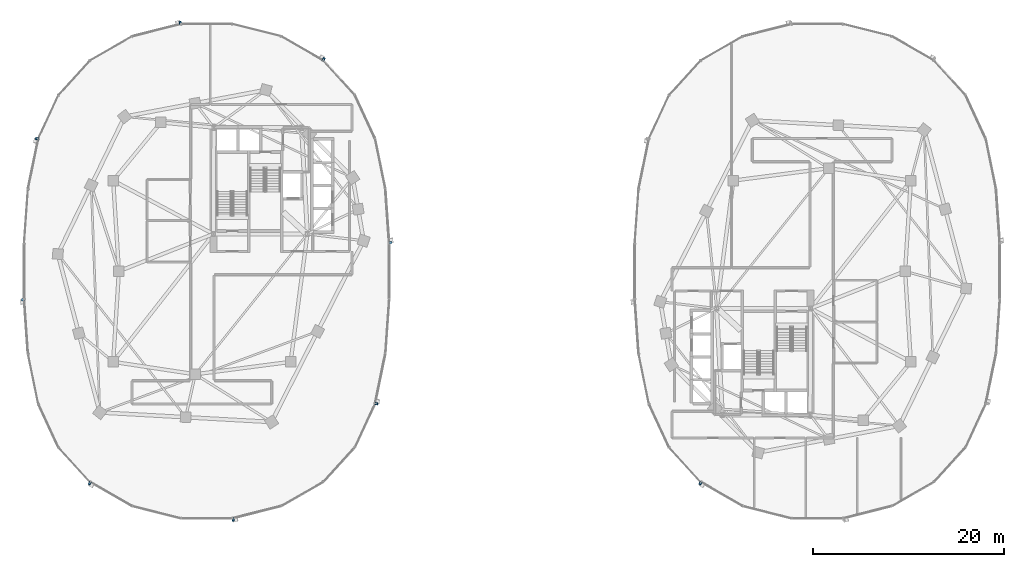
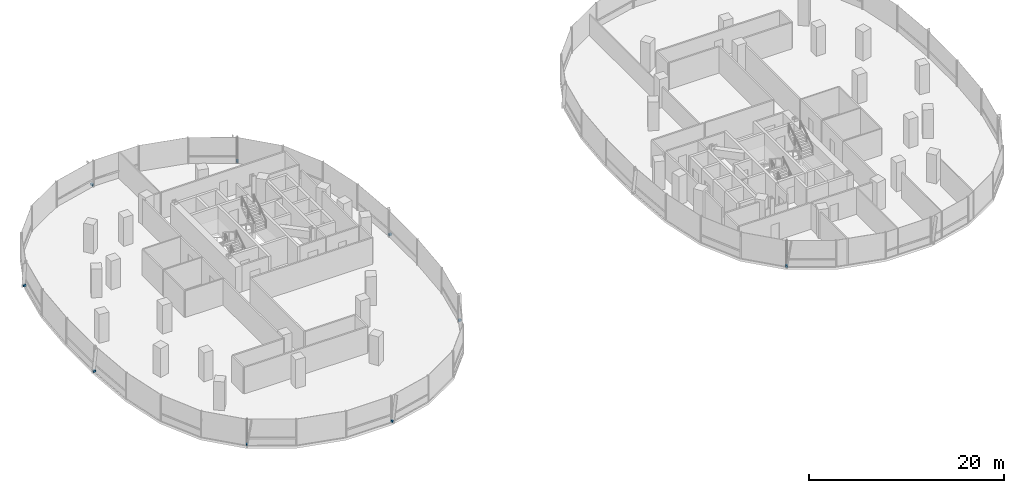
# One storey, part 14 of 20: 9 discrete accessories.
"""IFC4 building model written with IfcOpenShell, lengths in metres."""

from ifc_helpers import new_model, si_unit, direction, frame, origin, origin_2d, place, context, subcontext, project, spatial, rectangle, extrude, material, type_object, element, save


model = new_model("IFC4")

# Units and contexts
model_context = context("Model", 3, precision=1e-05, world=origin(), true_north=direction((0.0, 1.0)))
body_context = subcontext(model_context, "Body", "Model", "MODEL_VIEW")
ifc_project = project(units=[si_unit("LENGTHUNIT", "METRE"), si_unit("AREAUNIT", "SQUARE_METRE"), si_unit("VOLUMEUNIT", "CUBIC_METRE"), si_unit("PLANEANGLEUNIT", "RADIAN"), si_unit("MASSUNIT", "GRAM", prefix="KILO"), si_unit("THERMODYNAMICTEMPERATUREUNIT", "KELVIN"), si_unit("POWERUNIT", "WATT")], contexts=[model_context])

# Site, building, storey
site_placement = place(None, origin())
site = spatial("IfcSite", under=ifc_project, at=site_placement, CompositionType="ELEMENT")
building_placement = place(site_placement, origin())
building = spatial("IfcBuilding", under=site, at=building_placement, Name="Cundina Bronze Exchange", CompositionType="ELEMENT")
storey_placement = place(building_placement, frame((0.0, 0.0, 125.0)))
storey = spatial("IfcBuildingStorey", under=building, at=storey_placement, Name="L32", CompositionType="ELEMENT", Elevation=125.0)

# Discrete accessories
ifc_material = material(Name="Anodised Bronze Aluminium 6063-T6", Category="aluminium")
discrete_accessory_type = type_object("IfcDiscreteAccessoryType", Name="ACC-BRK-FIN", PredefinedType="BRACKET", material=ifc_material)
for number, where, z_axis, x_axis, name in (
    (1, (-12.735595703125, 2.986083984375, 0.10009765625), (0.0, 0.0, 1.0), (-0.070278787473, 0.997527389113, 0.0), "L32 Fin Support Bracket 1"),
    (2, (-19.740478515625, 22.21875, 0.10009765625), (0.0, 0.0, 1.0), (-0.867105478933, 0.498124571171, 0.0), "L32 Fin Support Bracket 5"),
    (3, (-34.76025390625, 26.03173828125, 0.10009765625), (0.0, 0.0, 1.0), (-0.969488149345, -0.245138182011, 0.0), "L32 Fin Support Bracket 1"),
    (4, (-49.788330078125, 13.8896484375, 0.10009765625), (0.0, 0.0, 1.0), (-0.201419845156, -0.979505000486, 0.0), "L32 Fin Support Bracket 5"),
    (5, (-51.264404296875, -2.986083984375, 0.10009765625), (0.0, 0.0, 1.0), (0.070278787473, -0.997527389113, 0.0), "L32 Fin Support Bracket 1"),
    (6, (-44.259521484375, -22.21875, 0.10009765625), (0.0, 0.0, 1.0), (0.867105478933, -0.498124571171, 0.0), "L32 Fin Support Bracket 5"),
    (7, (-29.23974609375, -26.03173828125, 0.10009765625), (0.0, 0.0, 1.0), (0.969488149345, 0.245138182011, 0.0), "L32 Fin Support Bracket 1"),
    (8, (-14.211669921875, -13.8896484375, 0.10009765625), (0.0, 0.0, 1.0), (0.201419845156, 0.979505000486, 0.0), "L32 Fin Support Bracket 5"),
    (9, (19.740478515625, -22.21875, 0.10009765625), (0.0, 0.0, 1.0), (0.867105478933, -0.498124571171, 0.0), "L32 Fin Support Bracket 5"),
):
    element("IfcDiscreteAccessory", number, at=place(storey_placement, frame(where, z_axis=z_axis, x_axis=x_axis)), inside=storey, type_object=discrete_accessory_type, Name=name, PredefinedType="BRACKET", context=body_context, shape_type="SweptSolid", body=[
        extrude(rectangle(XDim=0.219970703125, YDim=0.320068359375, at=origin_2d()), origin(), (0.0, 0.0, 1.0), 0.239990234375),
    ])

save(model, "model.ifc")
